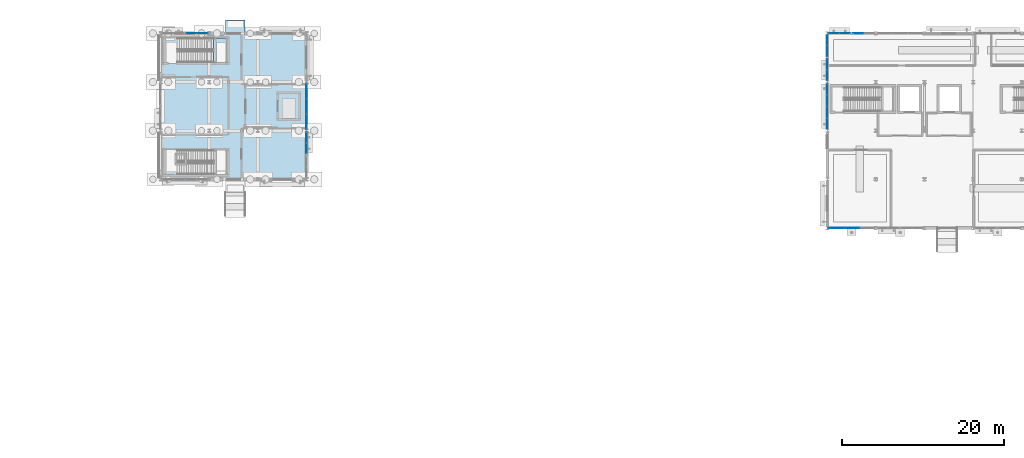
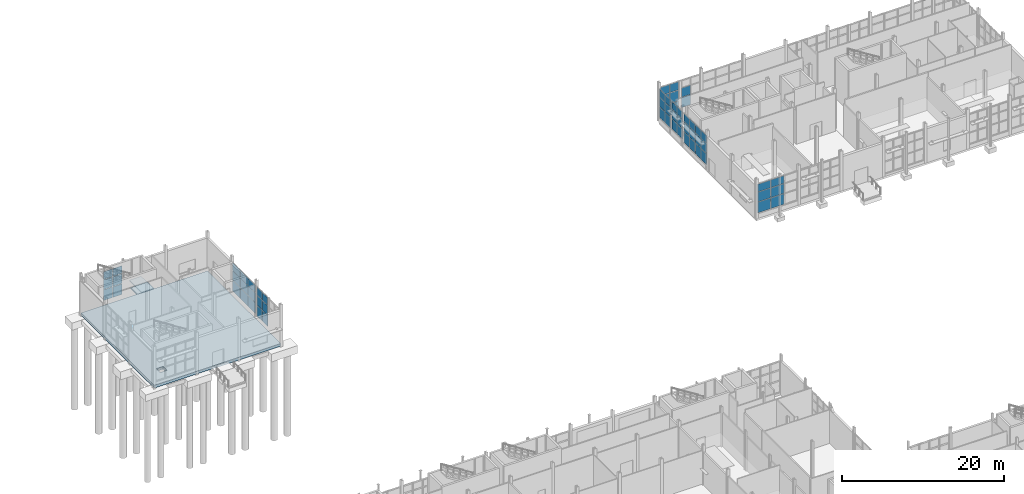
# One storey, part 72 of 120: 59 plates, 3 slabs, 10 elements without a shape of their own.
"""IFC4 building model written with IfcOpenShell, lengths in metres."""

from ifc_helpers import new_model, si_unit, direction, frame, origin, origin_2d, place, context, subcontext, project, spatial, polyline, rectangle, outline, extrude, material, layer, layer_set, type_object, element, aggregate, save


model = new_model("IFC4")

# Units and contexts
model_context = context("Model", 3, precision=1e-05, world=origin(), true_north=direction((0.0, 1.0)))
body_context = subcontext(model_context, "Body", "Model", "MODEL_VIEW")
ifc_project = project(units=[si_unit("LENGTHUNIT", "METRE"), si_unit("AREAUNIT", "SQUARE_METRE"), si_unit("VOLUMEUNIT", "CUBIC_METRE"), si_unit("PLANEANGLEUNIT", "RADIAN"), si_unit("MASSUNIT", "GRAM", prefix="KILO")], contexts=[model_context])

# Site, building, storey
site_placement = place(None, origin())
site = spatial("IfcSite", under=ifc_project, at=site_placement, CompositionType="ELEMENT")
building_placement = place(site_placement, origin())
building = spatial("IfcBuilding", under=site, at=building_placement, Name="Siltcreek Boulevard Central Fire Station", CompositionType="ELEMENT")
storey_placement = place(building_placement, origin())
storey = spatial("IfcBuildingStorey", under=building, at=storey_placement, Name="L01", CompositionType="ELEMENT", Elevation=0.0)

# Curtain wall, plates
ifc_material_1 = material(Name="Anodized aluminum and low-E insulated glazing", Category="aluminium")
curtain_wall_type_1 = type_object("IfcCurtainWallType", Name="CW_SYS_28", PredefinedType="USERDEFINED", material=ifc_material_1)
curtain_wall_1_placement = place(storey_placement, origin())
curtain_wall_1 = element("IfcCurtainWall", 1, at=curtain_wall_1_placement, inside=storey, type_object=curtain_wall_type_1, Name="L01 V3 unitised curtain wall CW-027", ObjectType="CURTAIN WALL", PredefinedType="USERDEFINED")
ifc_material_2 = material(Name="Low-E double insulated glass unit", Category="glass")
ifc_layer_1 = layer(ifc_material_2, 0.028076171875, Name="Low-E double insulated glass unit")
ifc_layer_set_1 = layer_set([ifc_layer_1], Name="Low-E double insulated glass unit")
plate_type_1 = type_object("IfcPlateType", Name="CWP_GLZ_1", PredefinedType="CURTAIN_PANEL", material=ifc_layer_set_1)
plate_1_placement = place(storey_placement, frame((47.1611328125, 112.199951171875, 0.740234375), z_axis=(0.0, 0.0, 1.0), x_axis=(-1.0, 0.0, 0.0)))
plate_1 = element("IfcPlate", 2, at=plate_1_placement, type_object=plate_type_1, Name="CW-027 panel 1.1", PredefinedType="CURTAIN_PANEL", context=body_context, shape_type="SweptSolid", body=[
    extrude(rectangle(XDim=1.267578125, YDim=0.028076171875, at=origin_2d()), origin(), (0.0, 0.0, 1.0), 1.594482421875),
])
plate_2_placement = place(storey_placement, frame((47.1611328125, 112.199951171875, 2.39453125), z_axis=(0.0, 0.0, 1.0), x_axis=(-1.0, 0.0, 0.0)))
plate_2 = element("IfcPlate", 3, at=plate_2_placement, type_object=plate_type_1, Name="CW-027 panel 1.2", PredefinedType="CURTAIN_PANEL", context=body_context, shape_type="SweptSolid", body=[
    extrude(rectangle(XDim=1.267578125, YDim=0.028076171875, at=origin_2d()), origin(), (0.0, 0.0, 1.0), 1.447265625),
])
plate_3_placement = place(storey_placement, frame((47.1611328125, 112.199951171875, 3.90185546875), z_axis=(0.0, 0.0, 1.0), x_axis=(-1.0, 0.0, 0.0)))
plate_3 = element("IfcPlate", 4, at=plate_3_placement, type_object=plate_type_1, Name="CW-027 panel 1.3", PredefinedType="CURTAIN_PANEL", context=body_context, shape_type="SweptSolid", body=[
    extrude(rectangle(XDim=1.267578125, YDim=0.028076171875, at=origin_2d()), origin(), (0.0, 0.0, 1.0), 1.151123046875),
])
plate_4_placement = place(storey_placement, frame((45.833740234375, 112.199951171875, 0.740234375), z_axis=(0.0, 0.0, 1.0), x_axis=(-1.0, 0.0, 0.0)))
plate_4 = element("IfcPlate", 5, at=plate_4_placement, type_object=plate_type_1, Name="CW-027 panel 2.1", PredefinedType="CURTAIN_PANEL", context=body_context, shape_type="SweptSolid", body=[
    extrude(rectangle(XDim=1.267578125, YDim=0.028076171875, at=origin_2d()), origin(), (0.0, 0.0, 1.0), 1.594482421875),
])
plate_5_placement = place(storey_placement, frame((45.833740234375, 112.199951171875, 2.39453125), z_axis=(0.0, 0.0, 1.0), x_axis=(-1.0, 0.0, 0.0)))
plate_5 = element("IfcPlate", 6, at=plate_5_placement, type_object=plate_type_1, Name="CW-027 panel 2.2", PredefinedType="CURTAIN_PANEL", context=body_context, shape_type="SweptSolid", body=[
    extrude(rectangle(XDim=1.267578125, YDim=0.028076171875, at=origin_2d()), origin(), (0.0, 0.0, 1.0), 1.447265625),
])
plate_6_placement = place(storey_placement, frame((45.833740234375, 112.199951171875, 3.90185546875), z_axis=(0.0, 0.0, 1.0), x_axis=(-1.0, 0.0, 0.0)))
plate_6 = element("IfcPlate", 7, at=plate_6_placement, type_object=plate_type_1, Name="CW-027 panel 2.3", PredefinedType="CURTAIN_PANEL", context=body_context, shape_type="SweptSolid", body=[
    extrude(rectangle(XDim=1.267578125, YDim=0.028076171875, at=origin_2d()), origin(), (0.0, 0.0, 1.0), 1.151123046875),
])
aggregate(curtain_wall_1, [plate_1, plate_2, plate_3, plate_4, plate_5, plate_6])

curtain_wall_type_2 = type_object("IfcCurtainWallType", Name="CW_SYS_04", PredefinedType="USERDEFINED", material=ifc_material_1)
curtain_wall_2_placement = place(storey_placement, origin())
curtain_wall_2 = element("IfcCurtainWall", 8, at=curtain_wall_2_placement, inside=storey, type_object=curtain_wall_type_2, Name="L01 V3 unitised curtain wall CW-033", ObjectType="CURTAIN WALL", PredefinedType="USERDEFINED")
plate_7_placement = place(storey_placement, frame((60.0, 101.311767578125, 0.739990234375), z_axis=(0.0, 0.0, 1.0), x_axis=(0.0, 1.0, 0.0)))
plate_7 = element("IfcPlate", 9, at=plate_7_placement, type_object=plate_type_1, Name="CW-033 panel 1.1", PredefinedType="CURTAIN_PANEL", context=body_context, shape_type="SweptSolid", body=[
    extrude(rectangle(XDim=1.813232421875, YDim=0.028076171875, at=origin_2d()), origin(), (0.0, 0.0, 1.0), 1.568359375),
])
plate_8_placement = place(storey_placement, frame((60.0, 101.311767578125, 2.3681640625), z_axis=(0.0, 0.0, 1.0), x_axis=(0.0, 1.0, 0.0)))
plate_8 = element("IfcPlate", 10, at=plate_8_placement, type_object=plate_type_1, Name="CW-033 panel 1.2", PredefinedType="CURTAIN_PANEL", context=body_context, shape_type="SweptSolid", body=[
    extrude(rectangle(XDim=1.813232421875, YDim=0.028076171875, at=origin_2d()), origin(), (0.0, 0.0, 1.0), 1.423828125),
])
plate_9_placement = place(storey_placement, frame((60.0, 101.311767578125, 3.85205078125), z_axis=(0.0, 0.0, 1.0), x_axis=(0.0, 1.0, 0.0)))
plate_9 = element("IfcPlate", 11, at=plate_9_placement, type_object=plate_type_1, Name="CW-033 panel 1.3", PredefinedType="CURTAIN_PANEL", context=body_context, shape_type="SweptSolid", body=[
    extrude(rectangle(XDim=1.813232421875, YDim=0.028076171875, at=origin_2d()), origin(), (0.0, 0.0, 1.0), 1.1318359375),
])
plate_10_placement = place(storey_placement, frame((60.0, 103.199951171875, 0.739990234375), z_axis=(0.0, 0.0, 1.0), x_axis=(0.0, 1.0, 0.0)))
plate_10 = element("IfcPlate", 12, at=plate_10_placement, type_object=plate_type_1, Name="CW-033 panel 2.1", PredefinedType="CURTAIN_PANEL", context=body_context, shape_type="SweptSolid", body=[
    extrude(rectangle(XDim=1.84326171875, YDim=0.028076171875, at=origin_2d()), origin(), (0.0, 0.0, 1.0), 1.568359375),
])
plate_11_placement = place(storey_placement, frame((60.0, 103.199951171875, 2.3681640625), z_axis=(0.0, 0.0, 1.0), x_axis=(0.0, 1.0, 0.0)))
plate_11 = element("IfcPlate", 13, at=plate_11_placement, type_object=plate_type_1, Name="CW-033 panel 2.2", PredefinedType="CURTAIN_PANEL", context=body_context, shape_type="SweptSolid", body=[
    extrude(rectangle(XDim=1.84326171875, YDim=0.028076171875, at=origin_2d()), origin(), (0.0, 0.0, 1.0), 1.423828125),
])
plate_12_placement = place(storey_placement, frame((60.0, 103.199951171875, 3.85205078125), z_axis=(0.0, 0.0, 1.0), x_axis=(0.0, 1.0, 0.0)))
plate_12 = element("IfcPlate", 14, at=plate_12_placement, type_object=plate_type_1, Name="CW-033 panel 2.3", PredefinedType="CURTAIN_PANEL", context=body_context, shape_type="SweptSolid", body=[
    extrude(rectangle(XDim=1.84326171875, YDim=0.028076171875, at=origin_2d()), origin(), (0.0, 0.0, 1.0), 1.1318359375),
])
plate_13_placement = place(storey_placement, frame((60.0, 105.08837890625, 0.739990234375), z_axis=(0.0, 0.0, 1.0), x_axis=(0.0, 1.0, 0.0)))
plate_13 = element("IfcPlate", 15, at=plate_13_placement, type_object=plate_type_1, Name="CW-033 panel 3.1", PredefinedType="CURTAIN_PANEL", context=body_context, shape_type="SweptSolid", body=[
    extrude(rectangle(XDim=1.813232421875, YDim=0.028076171875, at=origin_2d()), origin(), (0.0, 0.0, 1.0), 1.568359375),
])
plate_14_placement = place(storey_placement, frame((60.0, 105.08837890625, 2.3681640625), z_axis=(0.0, 0.0, 1.0), x_axis=(0.0, 1.0, 0.0)))
plate_14 = element("IfcPlate", 16, at=plate_14_placement, type_object=plate_type_1, Name="CW-033 panel 3.2", PredefinedType="CURTAIN_PANEL", context=body_context, shape_type="SweptSolid", body=[
    extrude(rectangle(XDim=1.813232421875, YDim=0.028076171875, at=origin_2d()), origin(), (0.0, 0.0, 1.0), 1.423828125),
])
plate_15_placement = place(storey_placement, frame((60.0, 105.08837890625, 3.85205078125), z_axis=(0.0, 0.0, 1.0), x_axis=(0.0, 1.0, 0.0)))
plate_15 = element("IfcPlate", 17, at=plate_15_placement, type_object=plate_type_1, Name="CW-033 panel 3.3", PredefinedType="CURTAIN_PANEL", context=body_context, shape_type="SweptSolid", body=[
    extrude(rectangle(XDim=1.813232421875, YDim=0.028076171875, at=origin_2d()), origin(), (0.0, 0.0, 1.0), 1.1318359375),
])
aggregate(curtain_wall_2, [plate_7, plate_8, plate_9, plate_10, plate_11, plate_12, plate_13, plate_14, plate_15])

curtain_wall_type_3 = type_object("IfcCurtainWallType", Name="CW_SYS_10", PredefinedType="USERDEFINED", material=ifc_material_1)
curtain_wall_3_placement = place(storey_placement, origin())
curtain_wall_3 = element("IfcCurtainWall", 18, at=curtain_wall_3_placement, inside=storey, type_object=curtain_wall_type_3, Name="L01 V5 unitised curtain wall CW-099", ObjectType="CURTAIN WALL", PredefinedType="USERDEFINED")
plate_16_placement = place(storey_placement, frame((125.311767578125, 88.199951171875, 0.740234375), z_axis=(0.0, 0.0, 1.0), x_axis=(1.0, 0.0, 0.0)))
plate_16 = element("IfcPlate", 19, at=plate_16_placement, type_object=plate_type_1, Name="CW-099 panel 1.1", PredefinedType="CURTAIN_PANEL", context=body_context, shape_type="SweptSolid", body=[
    extrude(rectangle(XDim=1.813232421875, YDim=0.028076171875, at=origin_2d()), origin(), (0.0, 0.0, 1.0), 1.594482421875),
])
plate_17_placement = place(storey_placement, frame((125.311767578125, 88.199951171875, 2.39453125), z_axis=(0.0, 0.0, 1.0), x_axis=(1.0, 0.0, 0.0)))
plate_17 = element("IfcPlate", 20, at=plate_17_placement, type_object=plate_type_1, Name="CW-099 panel 1.2", PredefinedType="CURTAIN_PANEL", context=body_context, shape_type="SweptSolid", body=[
    extrude(rectangle(XDim=1.813232421875, YDim=0.028076171875, at=origin_2d()), origin(), (0.0, 0.0, 1.0), 1.447265625),
])
plate_18_placement = place(storey_placement, frame((125.311767578125, 88.199951171875, 3.90185546875), z_axis=(0.0, 0.0, 1.0), x_axis=(1.0, 0.0, 0.0)))
plate_18 = element("IfcPlate", 21, at=plate_18_placement, type_object=plate_type_1, Name="CW-099 panel 1.3", PredefinedType="CURTAIN_PANEL", context=body_context, shape_type="SweptSolid", body=[
    extrude(rectangle(XDim=1.813232421875, YDim=0.028076171875, at=origin_2d()), origin(), (0.0, 0.0, 1.0), 1.151123046875),
])
plate_19_placement = place(storey_placement, frame((127.199951171875, 88.199951171875, 0.740234375), z_axis=(0.0, 0.0, 1.0), x_axis=(1.0, 0.0, 0.0)))
plate_19 = element("IfcPlate", 22, at=plate_19_placement, type_object=plate_type_1, Name="CW-099 panel 2.1", PredefinedType="CURTAIN_PANEL", context=body_context, shape_type="SweptSolid", body=[
    extrude(rectangle(XDim=1.84326171875, YDim=0.028076171875, at=origin_2d()), origin(), (0.0, 0.0, 1.0), 1.594482421875),
])
plate_20_placement = place(storey_placement, frame((127.199951171875, 88.199951171875, 2.39453125), z_axis=(0.0, 0.0, 1.0), x_axis=(1.0, 0.0, 0.0)))
plate_20 = element("IfcPlate", 23, at=plate_20_placement, type_object=plate_type_1, Name="CW-099 panel 2.2", PredefinedType="CURTAIN_PANEL", context=body_context, shape_type="SweptSolid", body=[
    extrude(rectangle(XDim=1.84326171875, YDim=0.028076171875, at=origin_2d()), origin(), (0.0, 0.0, 1.0), 1.447265625),
])
plate_21_placement = place(storey_placement, frame((127.199951171875, 88.199951171875, 3.90185546875), z_axis=(0.0, 0.0, 1.0), x_axis=(1.0, 0.0, 0.0)))
plate_21 = element("IfcPlate", 24, at=plate_21_placement, type_object=plate_type_1, Name="CW-099 panel 2.3", PredefinedType="CURTAIN_PANEL", context=body_context, shape_type="SweptSolid", body=[
    extrude(rectangle(XDim=1.84326171875, YDim=0.028076171875, at=origin_2d()), origin(), (0.0, 0.0, 1.0), 1.151123046875),
])
aggregate(curtain_wall_3, [plate_16, plate_17, plate_18, plate_19, plate_20, plate_21])

curtain_wall_type_4 = type_object("IfcCurtainWallType", Name="CW_SYS_19", PredefinedType="USERDEFINED", material=ifc_material_1)
curtain_wall_4_placement = place(storey_placement, origin())
curtain_wall_4 = element("IfcCurtainWall", 25, at=curtain_wall_4_placement, inside=storey, type_object=curtain_wall_type_4, Name="L01 V5 unitised curtain wall CW-108", ObjectType="CURTAIN WALL", PredefinedType="USERDEFINED")
plate_22_placement = place(storey_placement, frame((126.364990234375, 112.199951171875, 0.384765625), z_axis=(0.0, 0.0, 1.0), x_axis=(-1.0, 0.0, 0.0)))
plate_22 = element("IfcPlate", 26, at=plate_22_placement, type_object=plate_type_1, Name="CW-108 panel 1.1", PredefinedType="CURTAIN_PANEL", context=body_context, shape_type="SweptSolid", body=[
    extrude(rectangle(XDim=1.260009765625, YDim=0.028076171875, at=origin_2d()), origin(), (0.0, 0.0, 1.0), 1.723876953125),
])
plate_23_placement = place(storey_placement, frame((126.364990234375, 112.199951171875, 2.173828125), z_axis=(0.0, 0.0, 1.0), x_axis=(-1.0, 0.0, 0.0)))
plate_23 = element("IfcPlate", 27, at=plate_23_placement, type_object=plate_type_1, Name="CW-108 panel 1.2", PredefinedType="CURTAIN_PANEL", context=body_context, shape_type="SweptSolid", body=[
    extrude(rectangle(XDim=1.260009765625, YDim=0.028076171875, at=origin_2d()), origin(), (0.0, 0.0, 1.0), 1.564697265625),
])
plate_24_placement = place(storey_placement, frame((126.364990234375, 112.199951171875, 3.8037109375), z_axis=(0.0, 0.0, 1.0), x_axis=(-1.0, 0.0, 0.0)))
plate_24 = element("IfcPlate", 28, at=plate_24_placement, type_object=plate_type_1, Name="CW-108 panel 1.3", PredefinedType="CURTAIN_PANEL", context=body_context, shape_type="SweptSolid", body=[
    extrude(rectangle(XDim=1.260009765625, YDim=0.028076171875, at=origin_2d()), origin(), (0.0, 0.0, 1.0), 1.244384765625),
])
plate_25_placement = place(storey_placement, frame((125.0400390625, 112.199951171875, 0.384765625), z_axis=(0.0, 0.0, 1.0), x_axis=(-1.0, 0.0, 0.0)))
plate_25 = element("IfcPlate", 29, at=plate_25_placement, type_object=plate_type_1, Name="CW-108 panel 2.1", PredefinedType="CURTAIN_PANEL", context=body_context, shape_type="SweptSolid", body=[
    extrude(rectangle(XDim=1.260009765625, YDim=0.028076171875, at=origin_2d()), origin(), (0.0, 0.0, 1.0), 1.723876953125),
])
plate_26_placement = place(storey_placement, frame((125.0400390625, 112.199951171875, 2.173828125), z_axis=(0.0, 0.0, 1.0), x_axis=(-1.0, 0.0, 0.0)))
plate_26 = element("IfcPlate", 30, at=plate_26_placement, type_object=plate_type_1, Name="CW-108 panel 2.2", PredefinedType="CURTAIN_PANEL", context=body_context, shape_type="SweptSolid", body=[
    extrude(rectangle(XDim=1.260009765625, YDim=0.028076171875, at=origin_2d()), origin(), (0.0, 0.0, 1.0), 1.564697265625),
])
plate_27_placement = place(storey_placement, frame((125.0400390625, 112.199951171875, 3.8037109375), z_axis=(0.0, 0.0, 1.0), x_axis=(-1.0, 0.0, 0.0)))
plate_27 = element("IfcPlate", 31, at=plate_27_placement, type_object=plate_type_1, Name="CW-108 panel 2.3", PredefinedType="CURTAIN_PANEL", context=body_context, shape_type="SweptSolid", body=[
    extrude(rectangle(XDim=1.260009765625, YDim=0.028076171875, at=origin_2d()), origin(), (0.0, 0.0, 1.0), 1.244384765625),
])
aggregate(curtain_wall_4, [plate_22, plate_23, plate_24, plate_25, plate_26, plate_27])

curtain_wall_5_placement = place(storey_placement, origin())
curtain_wall_5 = element("IfcCurtainWall", 32, at=curtain_wall_5_placement, inside=storey, type_object=curtain_wall_type_1, Name="L01 V5 unitised curtain wall CW-117", ObjectType="CURTAIN WALL", PredefinedType="USERDEFINED")
plate_28_placement = place(storey_placement, frame((124.199951171875, 111.361328125, 0.739990234375), z_axis=(0.0, 0.0, 1.0), x_axis=(0.0, -1.0, 0.0)))
plate_28 = element("IfcPlate", 33, at=plate_28_placement, type_object=plate_type_1, Name="CW-117 panel 1.1", PredefinedType="CURTAIN_PANEL", context=body_context, shape_type="SweptSolid", body=[
    extrude(rectangle(XDim=1.267578125, YDim=0.028076171875, at=origin_2d()), origin(), (0.0, 0.0, 1.0), 1.568359375),
])
plate_29_placement = place(storey_placement, frame((124.199951171875, 111.361328125, 2.3681640625), z_axis=(0.0, 0.0, 1.0), x_axis=(0.0, -1.0, 0.0)))
plate_29 = element("IfcPlate", 34, at=plate_29_placement, type_object=plate_type_1, Name="CW-117 panel 1.2", PredefinedType="CURTAIN_PANEL", context=body_context, shape_type="SweptSolid", body=[
    extrude(rectangle(XDim=1.267578125, YDim=0.028076171875, at=origin_2d()), origin(), (0.0, 0.0, 1.0), 1.423828125),
])
plate_30_placement = place(storey_placement, frame((124.199951171875, 111.361328125, 3.85205078125), z_axis=(0.0, 0.0, 1.0), x_axis=(0.0, -1.0, 0.0)))
plate_30 = element("IfcPlate", 35, at=plate_30_placement, type_object=plate_type_1, Name="CW-117 panel 1.3", PredefinedType="CURTAIN_PANEL", context=body_context, shape_type="SweptSolid", body=[
    extrude(rectangle(XDim=1.267578125, YDim=0.028076171875, at=origin_2d()), origin(), (0.0, 0.0, 1.0), 1.1318359375),
])
plate_31_placement = place(storey_placement, frame((124.199951171875, 110.03369140625, 0.739990234375), z_axis=(0.0, 0.0, 1.0), x_axis=(0.0, -1.0, 0.0)))
plate_31 = element("IfcPlate", 36, at=plate_31_placement, type_object=plate_type_1, Name="CW-117 panel 2.1", PredefinedType="CURTAIN_PANEL", context=body_context, shape_type="SweptSolid", body=[
    extrude(rectangle(XDim=1.267578125, YDim=0.028076171875, at=origin_2d()), origin(), (0.0, 0.0, 1.0), 1.568359375),
])
plate_32_placement = place(storey_placement, frame((124.199951171875, 110.03369140625, 2.3681640625), z_axis=(0.0, 0.0, 1.0), x_axis=(0.0, -1.0, 0.0)))
plate_32 = element("IfcPlate", 37, at=plate_32_placement, type_object=plate_type_1, Name="CW-117 panel 2.2", PredefinedType="CURTAIN_PANEL", context=body_context, shape_type="SweptSolid", body=[
    extrude(rectangle(XDim=1.267578125, YDim=0.028076171875, at=origin_2d()), origin(), (0.0, 0.0, 1.0), 1.423828125),
])
plate_33_placement = place(storey_placement, frame((124.199951171875, 110.03369140625, 3.85205078125), z_axis=(0.0, 0.0, 1.0), x_axis=(0.0, -1.0, 0.0)))
plate_33 = element("IfcPlate", 38, at=plate_33_placement, type_object=plate_type_1, Name="CW-117 panel 2.3", PredefinedType="CURTAIN_PANEL", context=body_context, shape_type="SweptSolid", body=[
    extrude(rectangle(XDim=1.267578125, YDim=0.028076171875, at=origin_2d()), origin(), (0.0, 0.0, 1.0), 1.1318359375),
])
aggregate(curtain_wall_5, [plate_28, plate_29, plate_30, plate_31, plate_32, plate_33])

curtain_wall_type_5 = type_object("IfcCurtainWallType", Name="CW_SYS_29", PredefinedType="USERDEFINED", material=ifc_material_1)
curtain_wall_6_placement = place(storey_placement, origin())
curtain_wall_6 = element("IfcCurtainWall", 39, at=curtain_wall_6_placement, inside=storey, type_object=curtain_wall_type_5, Name="L01 V5 unitised curtain wall CW-118", ObjectType="CURTAIN WALL", PredefinedType="USERDEFINED")
ifc_layer_2 = layer(ifc_material_2, 0.0380859375, Name="Low-E double insulated glass unit")
ifc_layer_set_2 = layer_set([ifc_layer_2], Name="Low-E double insulated glass unit")
plate_type_2 = type_object("IfcPlateType", Name="CWP_GLZ_2", PredefinedType="CURTAIN_PANEL", material=ifc_layer_set_2)
plate_34_placement = place(storey_placement, frame((124.199951171875, 108.364990234375, 0.864990234375), z_axis=(0.0, 0.0, 1.0), x_axis=(0.0, -1.0, 0.0)))
plate_34 = element("IfcPlate", 40, at=plate_34_placement, type_object=plate_type_2, Name="CW-118 panel 1.1", PredefinedType="CURTAIN_PANEL", context=body_context, shape_type="SweptSolid", body=[
    extrude(rectangle(XDim=1.260009765625, YDim=0.0380859375, at=origin_2d()), origin(), (0.0, 0.0, 1.0), 1.51513671875),
])
plate_35_placement = place(storey_placement, frame((124.199951171875, 108.364990234375, 2.4453125), z_axis=(0.0, 0.0, 1.0), x_axis=(0.0, -1.0, 0.0)))
plate_35 = element("IfcPlate", 41, at=plate_35_placement, type_object=plate_type_2, Name="CW-118 panel 1.2", PredefinedType="CURTAIN_PANEL", context=body_context, shape_type="SweptSolid", body=[
    extrude(rectangle(XDim=1.260009765625, YDim=0.0380859375, at=origin_2d()), origin(), (0.0, 0.0, 1.0), 1.3779296875),
])
plate_36_placement = place(storey_placement, frame((124.199951171875, 108.364990234375, 3.88818359375), z_axis=(0.0, 0.0, 1.0), x_axis=(0.0, -1.0, 0.0)))
plate_36 = element("IfcPlate", 42, at=plate_36_placement, type_object=plate_type_2, Name="CW-118 panel 1.3", PredefinedType="CURTAIN_PANEL", context=body_context, shape_type="SweptSolid", body=[
    extrude(rectangle(XDim=1.260009765625, YDim=0.0380859375, at=origin_2d()), origin(), (0.0, 0.0, 1.0), 1.0908203125),
])
plate_37_placement = place(storey_placement, frame((124.199951171875, 107.0400390625, 0.864990234375), z_axis=(0.0, 0.0, 1.0), x_axis=(0.0, -1.0, 0.0)))
plate_37 = element("IfcPlate", 43, at=plate_37_placement, type_object=plate_type_2, Name="CW-118 panel 2.1", PredefinedType="CURTAIN_PANEL", context=body_context, shape_type="SweptSolid", body=[
    extrude(rectangle(XDim=1.260009765625, YDim=0.0380859375, at=origin_2d()), origin(), (0.0, 0.0, 1.0), 1.51513671875),
])
plate_38_placement = place(storey_placement, frame((124.199951171875, 107.0400390625, 2.4453125), z_axis=(0.0, 0.0, 1.0), x_axis=(0.0, -1.0, 0.0)))
plate_38 = element("IfcPlate", 44, at=plate_38_placement, type_object=plate_type_2, Name="CW-118 panel 2.2", PredefinedType="CURTAIN_PANEL", context=body_context, shape_type="SweptSolid", body=[
    extrude(rectangle(XDim=1.260009765625, YDim=0.0380859375, at=origin_2d()), origin(), (0.0, 0.0, 1.0), 1.3779296875),
])
plate_39_placement = place(storey_placement, frame((124.199951171875, 107.0400390625, 3.88818359375), z_axis=(0.0, 0.0, 1.0), x_axis=(0.0, -1.0, 0.0)))
plate_39 = element("IfcPlate", 45, at=plate_39_placement, type_object=plate_type_2, Name="CW-118 panel 2.3", PredefinedType="CURTAIN_PANEL", context=body_context, shape_type="SweptSolid", body=[
    extrude(rectangle(XDim=1.260009765625, YDim=0.0380859375, at=origin_2d()), origin(), (0.0, 0.0, 1.0), 1.0908203125),
])
aggregate(curtain_wall_6, [plate_34, plate_35, plate_36, plate_37, plate_38, plate_39])

curtain_wall_type_6 = type_object("IfcCurtainWallType", Name="CW_SYS_03", PredefinedType="USERDEFINED", material=ifc_material_1)
curtain_wall_7_placement = place(storey_placement, origin())
curtain_wall_7 = element("IfcCurtainWall", 46, at=curtain_wall_7_placement, inside=storey, type_object=curtain_wall_type_6, Name="L01 V3 unitised curtain wall CW-032", ObjectType="CURTAIN WALL", PredefinedType="USERDEFINED")
ifc_layer_3 = layer(ifc_material_2, 0.048095703125, Name="Low-E double insulated glass unit")
ifc_layer_set_3 = layer_set([ifc_layer_3], Name="Low-E double insulated glass unit")
plate_type_3 = type_object("IfcPlateType", Name="CWP_GLZ_3", PredefinedType="CURTAIN_PANEL", material=ifc_layer_set_3)
plate_40_placement = place(storey_placement, frame((60.0, 98.034912109375, 0.625), z_axis=(0.0, 0.0, 1.0), x_axis=(0.0, 1.0, 0.0)))
plate_40 = element("IfcPlate", 47, at=plate_40_placement, type_object=plate_type_3, Name="CW-032 panel 1.1", PredefinedType="CURTAIN_PANEL", context=body_context, shape_type="SweptSolid", body=[
    extrude(rectangle(XDim=1.260009765625, YDim=0.048095703125, at=origin_2d()), origin(), (0.0, 0.0, 1.0), 1.6064453125),
])
plate_41_placement = place(storey_placement, frame((60.0, 98.034912109375, 2.29638671875), z_axis=(0.0, 0.0, 1.0), x_axis=(0.0, 1.0, 0.0)))
plate_41 = element("IfcPlate", 48, at=plate_41_placement, type_object=plate_type_3, Name="CW-032 panel 1.2", PredefinedType="CURTAIN_PANEL", context=body_context, shape_type="SweptSolid", body=[
    extrude(rectangle(XDim=1.260009765625, YDim=0.048095703125, at=origin_2d()), origin(), (0.0, 0.0, 1.0), 1.459716796875),
])
plate_42_placement = place(storey_placement, frame((60.0, 98.034912109375, 3.82080078125), z_axis=(0.0, 0.0, 1.0), x_axis=(0.0, 1.0, 0.0)))
plate_42 = element("IfcPlate", 49, at=plate_42_placement, type_object=plate_type_3, Name="CW-032 panel 1.3", PredefinedType="CURTAIN_PANEL", context=body_context, shape_type="SweptSolid", body=[
    extrude(rectangle(XDim=1.260009765625, YDim=0.048095703125, at=origin_2d()), origin(), (0.0, 0.0, 1.0), 1.157958984375),
])
plate_43_placement = place(storey_placement, frame((60.0, 99.360107421875, 0.625), z_axis=(0.0, 0.0, 1.0), x_axis=(0.0, 1.0, 0.0)))
plate_43 = element("IfcPlate", 50, at=plate_43_placement, type_object=plate_type_3, Name="CW-032 panel 2.1", PredefinedType="CURTAIN_PANEL", context=body_context, shape_type="SweptSolid", body=[
    extrude(rectangle(XDim=1.260009765625, YDim=0.048095703125, at=origin_2d()), origin(), (0.0, 0.0, 1.0), 1.6064453125),
])
plate_44_placement = place(storey_placement, frame((60.0, 99.360107421875, 2.29638671875), z_axis=(0.0, 0.0, 1.0), x_axis=(0.0, 1.0, 0.0)))
plate_44 = element("IfcPlate", 51, at=plate_44_placement, type_object=plate_type_3, Name="CW-032 panel 2.2", PredefinedType="CURTAIN_PANEL", context=body_context, shape_type="SweptSolid", body=[
    extrude(rectangle(XDim=1.260009765625, YDim=0.048095703125, at=origin_2d()), origin(), (0.0, 0.0, 1.0), 1.459716796875),
])
plate_45_placement = place(storey_placement, frame((60.0, 99.360107421875, 3.82080078125), z_axis=(0.0, 0.0, 1.0), x_axis=(0.0, 1.0, 0.0)))
plate_45 = element("IfcPlate", 52, at=plate_45_placement, type_object=plate_type_3, Name="CW-032 panel 2.3", PredefinedType="CURTAIN_PANEL", context=body_context, shape_type="SweptSolid", body=[
    extrude(rectangle(XDim=1.260009765625, YDim=0.048095703125, at=origin_2d()), origin(), (0.0, 0.0, 1.0), 1.157958984375),
])
aggregate(curtain_wall_7, [plate_40, plate_41, plate_42, plate_43, plate_44, plate_45])

curtain_wall_type_7 = type_object("IfcCurtainWallType", Name="CW_SYS_18", PredefinedType="USERDEFINED", material=ifc_material_1)
curtain_wall_8_placement = place(storey_placement, origin())
curtain_wall_8 = element("IfcCurtainWall", 53, at=curtain_wall_8_placement, inside=storey, type_object=curtain_wall_type_7, Name="L01 V5 unitised curtain wall CW-107", ObjectType="CURTAIN WALL", PredefinedType="USERDEFINED")
plate_46_placement = place(storey_placement, frame((128.03369140625, 112.199951171875, 0.97998046875), z_axis=(0.0, 0.0, 1.0), x_axis=(-1.0, 0.0, 0.0)))
plate_46 = element("IfcPlate", 54, at=plate_46_placement, type_object=plate_type_3, Name="CW-107 panel 2.1", PredefinedType="CURTAIN_PANEL", context=body_context, shape_type="SweptSolid", body=[
    extrude(rectangle(XDim=1.267578125, YDim=0.048095703125, at=origin_2d()), origin(), (0.0, 0.0, 1.0), 1.50341796875),
])
plate_47_placement = place(storey_placement, frame((128.03369140625, 112.199951171875, 2.543212890625), z_axis=(0.0, 0.0, 1.0), x_axis=(-1.0, 0.0, 0.0)))
plate_47 = element("IfcPlate", 55, at=plate_47_placement, type_object=plate_type_3, Name="CW-107 panel 2.2", PredefinedType="CURTAIN_PANEL", context=body_context, shape_type="SweptSolid", body=[
    extrude(rectangle(XDim=1.267578125, YDim=0.048095703125, at=origin_2d()), origin(), (0.0, 0.0, 1.0), 1.36572265625),
])
aggregate(curtain_wall_8, [plate_46, plate_47])

curtain_wall_type_8 = type_object("IfcCurtainWallType", Name="CW_SYS_27", PredefinedType="USERDEFINED", material=ifc_material_1)
curtain_wall_9_placement = place(storey_placement, origin())
curtain_wall_9 = element("IfcCurtainWall", 56, at=curtain_wall_9_placement, inside=storey, type_object=curtain_wall_type_8, Name="L01 V5 unitised curtain wall CW-116", ObjectType="CURTAIN WALL", PredefinedType="USERDEFINED")
plate_48_placement = place(storey_placement, frame((124.199951171875, 105.324951171875, 0.625), z_axis=(0.0, 0.0, 1.0), x_axis=(0.0, -1.0, 0.0)))
plate_48 = element("IfcPlate", 57, at=plate_48_placement, type_object=plate_type_3, Name="CW-116 panel 1.1", PredefinedType="CURTAIN_PANEL", context=body_context, shape_type="SweptSolid", body=[
    extrude(rectangle(XDim=1.330078125, YDim=0.048095703125, at=origin_2d()), origin(), (0.0, 0.0, 1.0), 1.6064453125),
])
plate_49_placement = place(storey_placement, frame((124.199951171875, 105.324951171875, 2.29638671875), z_axis=(0.0, 0.0, 1.0), x_axis=(0.0, -1.0, 0.0)))
plate_49 = element("IfcPlate", 58, at=plate_49_placement, type_object=plate_type_3, Name="CW-116 panel 1.2", PredefinedType="CURTAIN_PANEL", context=body_context, shape_type="SweptSolid", body=[
    extrude(rectangle(XDim=1.330078125, YDim=0.048095703125, at=origin_2d()), origin(), (0.0, 0.0, 1.0), 1.459716796875),
])
plate_50_placement = place(storey_placement, frame((124.199951171875, 105.324951171875, 3.82080078125), z_axis=(0.0, 0.0, 1.0), x_axis=(0.0, -1.0, 0.0)))
plate_50 = element("IfcPlate", 59, at=plate_50_placement, type_object=plate_type_3, Name="CW-116 panel 1.3", PredefinedType="CURTAIN_PANEL", context=body_context, shape_type="SweptSolid", body=[
    extrude(rectangle(XDim=1.330078125, YDim=0.048095703125, at=origin_2d()), origin(), (0.0, 0.0, 1.0), 1.157958984375),
])
plate_51_placement = place(storey_placement, frame((124.199951171875, 103.913818359375, 0.625), z_axis=(0.0, 0.0, 1.0), x_axis=(0.0, -1.0, 0.0)))
plate_51 = element("IfcPlate", 60, at=plate_51_placement, type_object=plate_type_3, Name="CW-116 panel 2.1", PredefinedType="CURTAIN_PANEL", context=body_context, shape_type="SweptSolid", body=[
    extrude(rectangle(XDim=1.362548828125, YDim=0.048095703125, at=origin_2d()), origin(), (0.0, 0.0, 1.0), 1.6064453125),
])
plate_52_placement = place(storey_placement, frame((124.199951171875, 103.913818359375, 2.29638671875), z_axis=(0.0, 0.0, 1.0), x_axis=(0.0, -1.0, 0.0)))
plate_52 = element("IfcPlate", 61, at=plate_52_placement, type_object=plate_type_3, Name="CW-116 panel 2.2", PredefinedType="CURTAIN_PANEL", context=body_context, shape_type="SweptSolid", body=[
    extrude(rectangle(XDim=1.362548828125, YDim=0.048095703125, at=origin_2d()), origin(), (0.0, 0.0, 1.0), 1.459716796875),
])
plate_53_placement = place(storey_placement, frame((124.199951171875, 103.913818359375, 3.82080078125), z_axis=(0.0, 0.0, 1.0), x_axis=(0.0, -1.0, 0.0)))
plate_53 = element("IfcPlate", 62, at=plate_53_placement, type_object=plate_type_3, Name="CW-116 panel 2.3", PredefinedType="CURTAIN_PANEL", context=body_context, shape_type="SweptSolid", body=[
    extrude(rectangle(XDim=1.362548828125, YDim=0.048095703125, at=origin_2d()), origin(), (0.0, 0.0, 1.0), 1.157958984375),
])
plate_54_placement = place(storey_placement, frame((124.199951171875, 102.486328125, 0.625), z_axis=(0.0, 0.0, 1.0), x_axis=(0.0, -1.0, 0.0)))
plate_54 = element("IfcPlate", 63, at=plate_54_placement, type_object=plate_type_3, Name="CW-116 panel 3.1", PredefinedType="CURTAIN_PANEL", context=body_context, shape_type="SweptSolid", body=[
    extrude(rectangle(XDim=1.362548828125, YDim=0.048095703125, at=origin_2d()), origin(), (0.0, 0.0, 1.0), 1.6064453125),
])
plate_55_placement = place(storey_placement, frame((124.199951171875, 102.486328125, 2.29638671875), z_axis=(0.0, 0.0, 1.0), x_axis=(0.0, -1.0, 0.0)))
plate_55 = element("IfcPlate", 64, at=plate_55_placement, type_object=plate_type_3, Name="CW-116 panel 3.2", PredefinedType="CURTAIN_PANEL", context=body_context, shape_type="SweptSolid", body=[
    extrude(rectangle(XDim=1.362548828125, YDim=0.048095703125, at=origin_2d()), origin(), (0.0, 0.0, 1.0), 1.459716796875),
])
plate_56_placement = place(storey_placement, frame((124.199951171875, 102.486328125, 3.82080078125), z_axis=(0.0, 0.0, 1.0), x_axis=(0.0, -1.0, 0.0)))
plate_56 = element("IfcPlate", 65, at=plate_56_placement, type_object=plate_type_3, Name="CW-116 panel 3.3", PredefinedType="CURTAIN_PANEL", context=body_context, shape_type="SweptSolid", body=[
    extrude(rectangle(XDim=1.362548828125, YDim=0.048095703125, at=origin_2d()), origin(), (0.0, 0.0, 1.0), 1.157958984375),
])
plate_57_placement = place(storey_placement, frame((124.199951171875, 101.074951171875, 0.625), z_axis=(0.0, 0.0, 1.0), x_axis=(0.0, -1.0, 0.0)))
plate_57 = element("IfcPlate", 66, at=plate_57_placement, type_object=plate_type_3, Name="CW-116 panel 4.1", PredefinedType="CURTAIN_PANEL", context=body_context, shape_type="SweptSolid", body=[
    extrude(rectangle(XDim=1.330078125, YDim=0.048095703125, at=origin_2d()), origin(), (0.0, 0.0, 1.0), 1.6064453125),
])
plate_58_placement = place(storey_placement, frame((124.199951171875, 101.074951171875, 2.29638671875), z_axis=(0.0, 0.0, 1.0), x_axis=(0.0, -1.0, 0.0)))
plate_58 = element("IfcPlate", 67, at=plate_58_placement, type_object=plate_type_3, Name="CW-116 panel 4.2", PredefinedType="CURTAIN_PANEL", context=body_context, shape_type="SweptSolid", body=[
    extrude(rectangle(XDim=1.330078125, YDim=0.048095703125, at=origin_2d()), origin(), (0.0, 0.0, 1.0), 1.459716796875),
])
plate_59_placement = place(storey_placement, frame((124.199951171875, 101.074951171875, 3.82080078125), z_axis=(0.0, 0.0, 1.0), x_axis=(0.0, -1.0, 0.0)))
plate_59 = element("IfcPlate", 68, at=plate_59_placement, type_object=plate_type_3, Name="CW-116 panel 4.3", PredefinedType="CURTAIN_PANEL", context=body_context, shape_type="SweptSolid", body=[
    extrude(rectangle(XDim=1.330078125, YDim=0.048095703125, at=origin_2d()), origin(), (0.0, 0.0, 1.0), 1.157958984375),
])
aggregate(curtain_wall_9, [plate_48, plate_49, plate_50, plate_51, plate_52, plate_53, plate_54, plate_55, plate_56, plate_57, plate_58, plate_59])

# Slab
ifc_material_3 = material(Name="Concrete C35/45", Category="concrete")
ifc_layer_4 = layer(ifc_material_3, 0.409912109375, Name="Concrete C35/45")
ifc_layer_set_4 = layer_set([ifc_layer_4], Name="Concrete C35/45")
slab_type_1 = type_object("IfcSlabType", Name="SL_BASE350", PredefinedType="BASESLAB", material=ifc_layer_set_4)
slab_1_placement = place(storey_placement, frame((0.0, 0.0, -0.409912109375)))
element("IfcSlab", 69, at=slab_1_placement, inside=storey, type_object=slab_type_1, Name="L01 V3 structural floor slab SL-009", PredefinedType="BASESLAB", context=body_context, shape_type="SweptSolid", body=[
    extrude(outline(polyline([(60.0, 112.199951171875), (60.0, 94.199951171875), (42.0, 94.199951171875), (42.0, 112.199951171875), (60.0, 112.199951171875)]), holes=[polyline([(44.97998046875, 97.179931640625), (44.02001953125, 97.179931640625), (44.02001953125, 96.219970703125), (44.97998046875, 96.219970703125), (44.97998046875, 97.179931640625)])]), origin(), (0.0, 0.0, 1.0), 0.409912109375),
])

# Stair, slab
ifc_material_4 = material(Name="Precast concrete C40/50", Category="concrete")
stair_type = type_object("IfcStairType", Name="ST_DOG_H60", PredefinedType="HALF_TURN_STAIR", material=ifc_material_4)
stair_placement = place(storey_placement, origin())
stair = element("IfcStair", 70, at=stair_placement, inside=storey, type_object=stair_type, Name="L01 Enclosed exit stairway ST-V3B", PredefinedType="HALF_TURN_STAIR")
ifc_layer_5 = layer(ifc_material_4, 0.199951171875, Name="Precast concrete C40/50")
ifc_layer_set_5 = layer_set([ifc_layer_5], Name="Precast concrete C40/50")
slab_type_2 = type_object("IfcSlabType", Name="SL_LAND200", PredefinedType="LANDING", material=ifc_layer_set_5)
slab_2_placement = place(storey_placement, frame((0.0, 0.0, 2.800048828125)))
slab_2 = element("IfcSlab", 71, at=slab_2_placement, type_object=slab_type_2, Name="ST-V3B landing 1", PredefinedType="LANDING", context=body_context, shape_type="SweptSolid", body=[
    extrude(outline(polyline([(48.530029296875, 108.60009765625), (50.199951171875, 108.60009765625), (50.199951171875, 111.60009765625), (48.530029296875, 111.60009765625), (48.530029296875, 108.60009765625)])), origin(), (0.0, 0.0, 1.0), 0.199951171875),
])
aggregate(stair, [slab_2])

# Slab
ifc_layer_6 = layer(ifc_material_3, 0.2099609375, Name="Concrete C35/45")
ifc_layer_set_6 = layer_set([ifc_layer_6], Name="Concrete C35/45")
slab_type_3 = type_object("IfcSlabType", Name="SL_TER210", PredefinedType="FLOOR", material=ifc_layer_set_6)
slab_3_placement = place(storey_placement, frame((0.0, 0.0, -0.2099609375)))
element("IfcSlab", 72, at=slab_3_placement, inside=storey, type_object=slab_type_3, Name="V3 north stair exit-discharge landing slab AP-V3N", PredefinedType="FLOOR", context=body_context, shape_type="SweptSolid", body=[
    extrude(outline(polyline([(50.0, 112.199951171875), (52.39990234375, 112.199951171875), (52.39990234375, 113.85009765625), (50.0, 113.85009765625), (50.0, 112.199951171875)])), origin(), (0.0, 0.0, 1.0), 0.2099609375),
])

save(model, "model.ifc")
